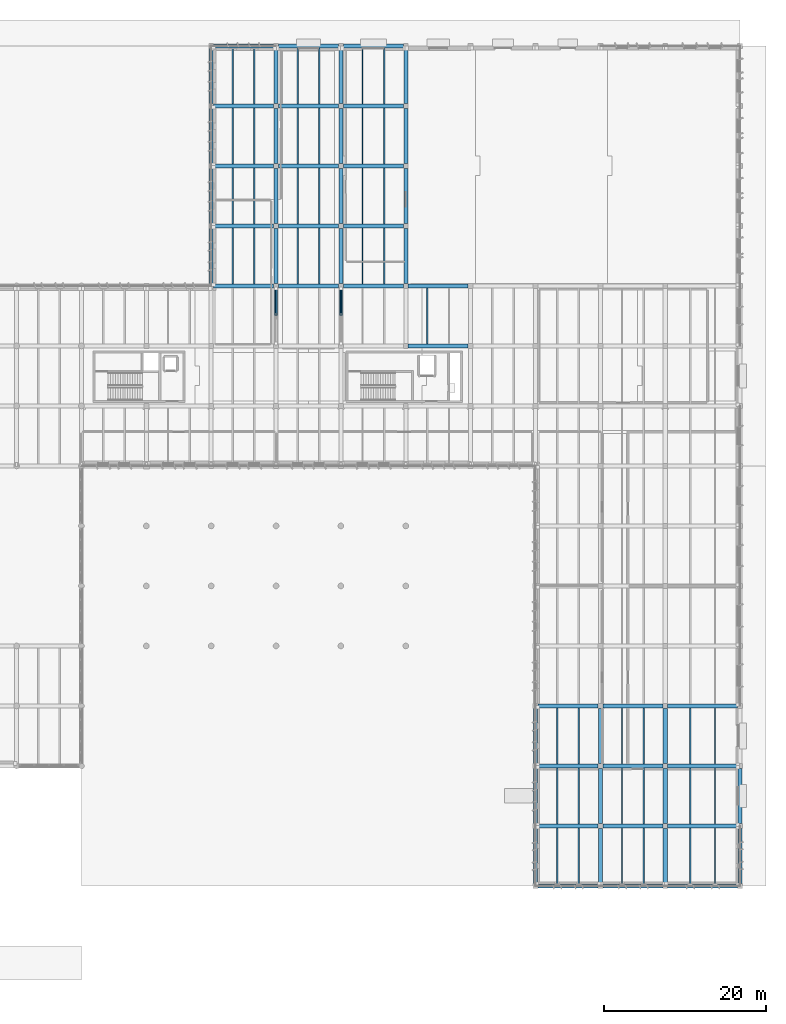
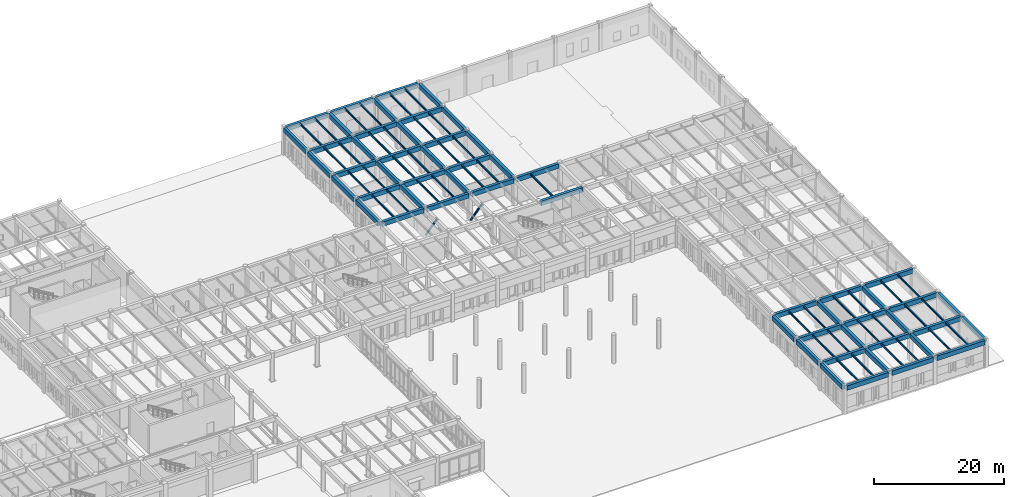
# One storey, part 9 of 56: 99 beams, 2 members.
"""IFC4 building model written with IfcOpenShell, lengths in metres."""

from ifc_helpers import new_model, si_unit, direction, frame, origin, origin_2d, place, context, subcontext, project, spatial, rectangle, hollow_circle, i_section, extrude, material, material_profile, profile_set, type_object, element, save


model = new_model("IFC4")

# Units and contexts
model_context = context("Model", 3, precision=1e-05, world=origin(), true_north=direction((0.0, 1.0)))
body_context = subcontext(model_context, "Body", "Model", "MODEL_VIEW")
ifc_project = project(units=[si_unit("LENGTHUNIT", "METRE"), si_unit("AREAUNIT", "SQUARE_METRE"), si_unit("VOLUMEUNIT", "CUBIC_METRE"), si_unit("PLANEANGLEUNIT", "RADIAN"), si_unit("MASSUNIT", "GRAM", prefix="KILO")], contexts=[model_context])

# Site, building, storey
site_placement = place(None, origin())
site = spatial("IfcSite", under=ifc_project, at=site_placement, CompositionType="ELEMENT")
building_placement = place(site_placement, origin())
building = spatial("IfcBuilding", under=site, at=building_placement, Name="Valkorina Park Police Headquarters", CompositionType="ELEMENT")
storey_placement = place(building_placement, origin())
storey = spatial("IfcBuildingStorey", under=building, at=storey_placement, Name="L01", CompositionType="ELEMENT", Elevation=0.0)

# Beams
ifc_material_1 = material(Name="Concrete C40/50", Category="concrete")
ifc_material_profile_1 = material_profile(ifc_material_1, rectangle(XDim=0.5, YDim=0.85009765625, at=origin_2d()), Name="RC BEAM 500x850")
ifc_profile_set_1 = profile_set([ifc_material_profile_1], Name="Concrete C40/50")
beam_type_1 = type_object("IfcBeamType", Name="BM-RC-500x850-EXT", PredefinedType="SPANDREL", material=ifc_profile_set_1)
for number, where, z_axis, x_axis, name in (
    (1, (137.10009765625, 7.39990234375, 4.72998046875), (1.0, 0.0, 0.0), (0.0, 1.0, 0.0), "L01 Framing Beam 0710"),
    (2, (145.10009765625, 7.39990234375, 4.72998046875), (1.0, 0.0, 0.0), (0.0, 1.0, 0.0), "L01 Framing Beam 0711"),
):
    element("IfcBeam", number, at=place(storey_placement, frame(where, z_axis=z_axis, x_axis=x_axis)), inside=storey, type_object=beam_type_1, Name=name, PredefinedType="SPANDREL", context=body_context, shape_type="SweptSolid", body=[
        extrude(rectangle(XDim=0.5, YDim=0.85009765625, at=origin_2d()), origin(), (0.0, 0.0, 1.0), 7.39990234375),
    ])
beam_1_placement = place(storey_placement, frame((153.10009765625, 7.39990234375, 4.72998046875), z_axis=(1.0, 0.0, 0.0), x_axis=(0.0, 1.0, 0.0)))
element("IfcBeam", 3, at=beam_1_placement, inside=storey, type_object=beam_type_1, Name="L01 Framing Beam 0712", PredefinedType="SPANDREL", context=body_context, shape_type="SweptSolid", body=[
    extrude(rectangle(XDim=0.5, YDim=0.85009765625, at=origin_2d()), origin(), (0.0, 0.0, 1.0), 8.599853515625),
])
for number, where, z_axis, x_axis, name in (
    (4, (121.10009765625, 81.39990234375, 4.715087890625), (1.0, 0.0, 0.0), (0.0, 1.0, 0.0), "L01 Framing Beam 0825"),
    (5, (97.10009765625, 111.0, 4.715087890625), (1.0, 0.0, 0.0), (0.0, 1.0, 0.0), "L01 Framing Beam 0864"),
    (6, (105.10009765625, 111.0, 4.715087890625), (1.0, 0.0, 0.0), (0.0, 1.0, 0.0), "L01 Framing Beam 0865"),
    (7, (113.10009765625, 111.0, 4.715087890625), (1.0, 0.0, 0.0), (0.0, 1.0, 0.0), "L01 Framing Beam 0866"),
):
    element("IfcBeam", number, at=place(storey_placement, frame(where, z_axis=z_axis, x_axis=x_axis)), inside=storey, type_object=beam_type_1, Name=name, PredefinedType="SPANDREL", context=body_context, shape_type="SweptSolid", body=[
        extrude(rectangle(XDim=0.5, YDim=0.85009765625, at=origin_2d()), origin(), (0.0, 0.0, 1.0), 7.39990234375),
    ])
beam_2_placement = place(storey_placement, frame((96.800048828125, 81.699951171875, 4.715087890625), z_axis=(0.0, 1.0, 0.0), x_axis=(-1.0, 0.0, 0.0)))
element("IfcBeam", 8, at=beam_2_placement, inside=storey, type_object=beam_type_1, Name="L01 Framing Beam 1101", PredefinedType="SPANDREL", context=body_context, shape_type="SweptSolid", body=[
    extrude(rectangle(XDim=0.5, YDim=0.85009765625, at=origin_2d()), origin(), (0.0, 0.0, 1.0), 6.800048828125),
])
beam_3_placement = place(storey_placement, frame((96.800048828125, 89.10009765625, 4.715087890625), z_axis=(0.0, 1.0, 0.0), x_axis=(-1.0, 0.0, 0.0)))
element("IfcBeam", 9, at=beam_3_placement, inside=storey, type_object=beam_type_1, Name="L01 Framing Beam 1104", PredefinedType="SPANDREL", context=body_context, shape_type="SweptSolid", body=[
    extrude(rectangle(XDim=0.5, YDim=0.85009765625, at=origin_2d()), origin(), (0.0, 0.0, 1.0), 6.7998046875),
])
for number, where, z_axis, x_axis, name in (
    (10, (96.800048828125, 96.5, 4.715087890625), (0.0, 1.0, 0.0), (-1.0, 0.0, 0.0), "L01 Framing Beam 1107"),
    (11, (96.800048828125, 103.89990234375, 4.715087890625), (0.0, 1.0, 0.0), (-1.0, 0.0, 0.0), "L01 Framing Beam 1110"),
    (12, (120.800048828125, 81.699951171875, 4.715087890625), (0.0, 1.0, 0.0), (-1.0, 0.0, 0.0), "L01 Framing Beam 1159"),
):
    element("IfcBeam", number, at=place(storey_placement, frame(where, z_axis=z_axis, x_axis=x_axis)), inside=storey, type_object=beam_type_1, Name=name, PredefinedType="SPANDREL", context=body_context, shape_type="SweptSolid", body=[
        extrude(rectangle(XDim=0.5, YDim=0.85009765625, at=origin_2d()), origin(), (0.0, 0.0, 1.0), 6.800048828125),
    ])
beam_4_placement = place(storey_placement, frame((120.800048828125, 89.10009765625, 4.715087890625), z_axis=(0.0, 1.0, 0.0), x_axis=(-1.0, 0.0, 0.0)))
element("IfcBeam", 13, at=beam_4_placement, inside=storey, type_object=beam_type_1, Name="L01 Framing Beam 1160", PredefinedType="SPANDREL", context=body_context, shape_type="SweptSolid", body=[
    extrude(rectangle(XDim=0.5, YDim=0.85009765625, at=origin_2d()), origin(), (0.0, 0.0, 1.0), 6.7998046875),
])
for number, where, z_axis, x_axis, name in (
    (14, (120.800048828125, 96.5, 4.715087890625), (0.0, 1.0, 0.0), (-1.0, 0.0, 0.0), "L01 Framing Beam 1161"),
    (15, (120.800048828125, 103.89990234375, 4.715087890625), (0.0, 1.0, 0.0), (-1.0, 0.0, 0.0), "L01 Framing Beam 1162"),
    (16, (136.800048828125, 7.699951171875, 4.72998046875), (0.0, 1.0, 0.0), (-1.0, 0.0, 0.0), "L01 Framing Beam 1172"),
):
    element("IfcBeam", number, at=place(storey_placement, frame(where, z_axis=z_axis, x_axis=x_axis)), inside=storey, type_object=beam_type_1, Name=name, PredefinedType="SPANDREL", context=body_context, shape_type="SweptSolid", body=[
        extrude(rectangle(XDim=0.5, YDim=0.85009765625, at=origin_2d()), origin(), (0.0, 0.0, 1.0), 6.800048828125),
    ])
beam_5_placement = place(storey_placement, frame((136.800048828125, 15.10009765625, 4.72998046875), z_axis=(0.0, 1.0, 0.0), x_axis=(-1.0, 0.0, 0.0)))
element("IfcBeam", 17, at=beam_5_placement, inside=storey, type_object=beam_type_1, Name="L01 Framing Beam 1175", PredefinedType="SPANDREL", context=body_context, shape_type="SweptSolid", body=[
    extrude(rectangle(XDim=0.5, YDim=0.85009765625, at=origin_2d()), origin(), (0.0, 0.0, 1.0), 6.7998046875),
])
for number, where, z_axis, x_axis, name in (
    (18, (136.800048828125, 22.5, 4.72998046875), (0.0, 1.0, 0.0), (-1.0, 0.0, 0.0), "L01 Framing Beam 1178"),
    (19, (162.0, 7.699951171875, 4.72998046875), (0.0, 1.0, 0.0), (-1.0, 0.0, 0.0), "L01 Framing Beam 1233"),
):
    element("IfcBeam", number, at=place(storey_placement, frame(where, z_axis=z_axis, x_axis=x_axis)), inside=storey, type_object=beam_type_1, Name=name, PredefinedType="SPANDREL", context=body_context, shape_type="SweptSolid", body=[
        extrude(rectangle(XDim=0.5, YDim=0.85009765625, at=origin_2d()), origin(), (0.0, 0.0, 1.0), 6.800048828125),
    ])
beam_6_placement = place(storey_placement, frame((162.0, 15.10009765625, 4.72998046875), z_axis=(0.0, 1.0, 0.0), x_axis=(-1.0, 0.0, 0.0)))
element("IfcBeam", 20, at=beam_6_placement, inside=storey, type_object=beam_type_1, Name="L01 Framing Beam 1237", PredefinedType="SPANDREL", context=body_context, shape_type="SweptSolid", body=[
    extrude(rectangle(XDim=0.5, YDim=0.85009765625, at=origin_2d()), origin(), (0.0, 0.0, 1.0), 6.7998046875),
])
ifc_material_profile_2 = material_profile(ifc_material_1, rectangle(XDim=0.5, YDim=0.85009765625, at=origin_2d()), Name="RC BEAM 500x850")
ifc_profile_set_2 = profile_set([ifc_material_profile_2], Name="Concrete C40/50")
beam_type_2 = type_object("IfcBeamType", Name="BM-RC-500x850-INT", PredefinedType="BEAM", material=ifc_profile_set_2)
for number, where, z_axis, x_axis, name in (
    (21, (137.10009765625, 14.800048828125, 4.72998046875), (1.0, 0.0, 0.0), (0.0, 1.0, 0.0), "L01 Framing Beam 0716"),
    (22, (145.10009765625, 14.800048828125, 4.72998046875), (1.0, 0.0, 0.0), (0.0, 1.0, 0.0), "L01 Framing Beam 0717"),
):
    element("IfcBeam", number, at=place(storey_placement, frame(where, z_axis=z_axis, x_axis=x_axis)), inside=storey, type_object=beam_type_2, Name=name, PredefinedType="BEAM", context=body_context, shape_type="SweptSolid", body=[
        extrude(rectangle(XDim=0.5, YDim=0.85009765625, at=origin_2d()), origin(), (0.0, 0.0, 1.0), 7.39990234375),
    ])
beam_7_placement = place(storey_placement, frame((153.10009765625, 14.800048828125, 4.72998046875), z_axis=(1.0, 0.0, 0.0), x_axis=(0.0, 1.0, 0.0)))
element("IfcBeam", 23, at=beam_7_placement, inside=storey, type_object=beam_type_2, Name="L01 Framing Beam 0718", PredefinedType="BEAM", context=body_context, shape_type="SweptSolid", body=[
    extrude(rectangle(XDim=0.5, YDim=0.85009765625, at=origin_2d()), origin(), (0.0, 0.0, 1.0), 8.599853515625),
])
for number, where, z_axis, x_axis, name in (
    (24, (137.10009765625, 22.199951171875, 4.72998046875), (1.0, 0.0, 0.0), (0.0, 1.0, 0.0), "L01 Framing Beam 0725"),
    (25, (145.10009765625, 22.199951171875, 4.72998046875), (1.0, 0.0, 0.0), (0.0, 1.0, 0.0), "L01 Framing Beam 0726"),
):
    element("IfcBeam", number, at=place(storey_placement, frame(where, z_axis=z_axis, x_axis=x_axis)), inside=storey, type_object=beam_type_2, Name=name, PredefinedType="BEAM", context=body_context, shape_type="SweptSolid", body=[
        extrude(rectangle(XDim=0.5, YDim=0.85009765625, at=origin_2d()), origin(), (0.0, 0.0, 1.0), 7.39990234375),
    ])
beam_8_placement = place(storey_placement, frame((153.10009765625, 22.199951171875, 4.72998046875), z_axis=(1.0, 0.0, 0.0), x_axis=(0.0, 1.0, 0.0)))
element("IfcBeam", 26, at=beam_8_placement, inside=storey, type_object=beam_type_2, Name="L01 Framing Beam 0727", PredefinedType="BEAM", context=body_context, shape_type="SweptSolid", body=[
    extrude(rectangle(XDim=0.5, YDim=0.85009765625, at=origin_2d()), origin(), (0.0, 0.0, 1.0), 8.599853515625),
])
for number, where, z_axis, x_axis, name in (
    (27, (137.10009765625, 29.60009765625, 4.72998046875), (1.0, 0.0, 0.0), (0.0, 1.0, 0.0), "L01 Framing Beam 0733"),
    (28, (145.10009765625, 29.60009765625, 4.72998046875), (1.0, 0.0, 0.0), (0.0, 1.0, 0.0), "L01 Framing Beam 0734"),
):
    element("IfcBeam", number, at=place(storey_placement, frame(where, z_axis=z_axis, x_axis=x_axis)), inside=storey, type_object=beam_type_2, Name=name, PredefinedType="BEAM", context=body_context, shape_type="SweptSolid", body=[
        extrude(rectangle(XDim=0.5, YDim=0.85009765625, at=origin_2d()), origin(), (0.0, 0.0, 1.0), 7.39990234375),
    ])
beam_9_placement = place(storey_placement, frame((153.10009765625, 29.60009765625, 4.72998046875), z_axis=(1.0, 0.0, 0.0), x_axis=(0.0, 1.0, 0.0)))
element("IfcBeam", 29, at=beam_9_placement, inside=storey, type_object=beam_type_2, Name="L01 Framing Beam 0735", PredefinedType="BEAM", context=body_context, shape_type="SweptSolid", body=[
    extrude(rectangle(XDim=0.5, YDim=0.85009765625, at=origin_2d()), origin(), (0.0, 0.0, 1.0), 8.599853515625),
])
for number, where, z_axis, x_axis, name in (
    (30, (121.10009765625, 74.0, 4.715087890625), (1.0, 0.0, 0.0), (0.0, 1.0, 0.0), "L01 Framing Beam 0809"),
    (31, (97.10009765625, 81.39990234375, 4.715087890625), (1.0, 0.0, 0.0), (0.0, 1.0, 0.0), "L01 Framing Beam 0822"),
    (32, (105.10009765625, 81.39990234375, 4.715087890625), (1.0, 0.0, 0.0), (0.0, 1.0, 0.0), "L01 Framing Beam 0823"),
    (33, (113.10009765625, 81.39990234375, 4.715087890625), (1.0, 0.0, 0.0), (0.0, 1.0, 0.0), "L01 Framing Beam 0824"),
    (34, (97.10009765625, 88.800048828125, 4.715087890625), (1.0, 0.0, 0.0), (0.0, 1.0, 0.0), "L01 Framing Beam 0834"),
    (35, (105.10009765625, 88.800048828125, 4.715087890625), (1.0, 0.0, 0.0), (0.0, 1.0, 0.0), "L01 Framing Beam 0835"),
    (36, (113.10009765625, 88.800048828125, 4.715087890625), (1.0, 0.0, 0.0), (0.0, 1.0, 0.0), "L01 Framing Beam 0836"),
    (37, (97.10009765625, 96.199951171875, 4.715087890625), (1.0, 0.0, 0.0), (0.0, 1.0, 0.0), "L01 Framing Beam 0844"),
    (38, (105.10009765625, 96.199951171875, 4.715087890625), (1.0, 0.0, 0.0), (0.0, 1.0, 0.0), "L01 Framing Beam 0845"),
    (39, (113.10009765625, 96.199951171875, 4.715087890625), (1.0, 0.0, 0.0), (0.0, 1.0, 0.0), "L01 Framing Beam 0846"),
    (40, (97.10009765625, 103.60009765625, 4.715087890625), (1.0, 0.0, 0.0), (0.0, 1.0, 0.0), "L01 Framing Beam 0854"),
    (41, (105.10009765625, 103.60009765625, 4.715087890625), (1.0, 0.0, 0.0), (0.0, 1.0, 0.0), "L01 Framing Beam 0855"),
    (42, (113.10009765625, 103.60009765625, 4.715087890625), (1.0, 0.0, 0.0), (0.0, 1.0, 0.0), "L01 Framing Beam 0856"),
):
    element("IfcBeam", number, at=place(storey_placement, frame(where, z_axis=z_axis, x_axis=x_axis)), inside=storey, type_object=beam_type_2, Name=name, PredefinedType="BEAM", context=body_context, shape_type="SweptSolid", body=[
        extrude(rectangle(XDim=0.5, YDim=0.85009765625, at=origin_2d()), origin(), (0.0, 0.0, 1.0), 7.39990234375),
    ])
beam_10_placement = place(storey_placement, frame((104.800048828125, 81.699951171875, 4.715087890625), z_axis=(0.0, 1.0, 0.0), x_axis=(-1.0, 0.0, 0.0)))
element("IfcBeam", 43, at=beam_10_placement, inside=storey, type_object=beam_type_2, Name="L01 Framing Beam 1122", PredefinedType="BEAM", context=body_context, shape_type="SweptSolid", body=[
    extrude(rectangle(XDim=0.5, YDim=0.85009765625, at=origin_2d()), origin(), (0.0, 0.0, 1.0), 6.800048828125),
])
beam_11_placement = place(storey_placement, frame((104.800048828125, 89.10009765625, 4.715087890625), z_axis=(0.0, 1.0, 0.0), x_axis=(-1.0, 0.0, 0.0)))
element("IfcBeam", 44, at=beam_11_placement, inside=storey, type_object=beam_type_2, Name="L01 Framing Beam 1125", PredefinedType="BEAM", context=body_context, shape_type="SweptSolid", body=[
    extrude(rectangle(XDim=0.5, YDim=0.85009765625, at=origin_2d()), origin(), (0.0, 0.0, 1.0), 6.7998046875),
])
for number, where, z_axis, x_axis, name in (
    (45, (104.800048828125, 96.5, 4.715087890625), (0.0, 1.0, 0.0), (-1.0, 0.0, 0.0), "L01 Framing Beam 1128"),
    (46, (104.800048828125, 103.89990234375, 4.715087890625), (0.0, 1.0, 0.0), (-1.0, 0.0, 0.0), "L01 Framing Beam 1131"),
    (47, (112.800048828125, 81.699951171875, 4.715087890625), (0.0, 1.0, 0.0), (-1.0, 0.0, 0.0), "L01 Framing Beam 1141"),
):
    element("IfcBeam", number, at=place(storey_placement, frame(where, z_axis=z_axis, x_axis=x_axis)), inside=storey, type_object=beam_type_2, Name=name, PredefinedType="BEAM", context=body_context, shape_type="SweptSolid", body=[
        extrude(rectangle(XDim=0.5, YDim=0.85009765625, at=origin_2d()), origin(), (0.0, 0.0, 1.0), 6.800048828125),
    ])
beam_12_placement = place(storey_placement, frame((112.800048828125, 89.10009765625, 4.715087890625), z_axis=(0.0, 1.0, 0.0), x_axis=(-1.0, 0.0, 0.0)))
element("IfcBeam", 48, at=beam_12_placement, inside=storey, type_object=beam_type_2, Name="L01 Framing Beam 1144", PredefinedType="BEAM", context=body_context, shape_type="SweptSolid", body=[
    extrude(rectangle(XDim=0.5, YDim=0.85009765625, at=origin_2d()), origin(), (0.0, 0.0, 1.0), 6.7998046875),
])
for number, where, z_axis, x_axis, name in (
    (49, (112.800048828125, 96.5, 4.715087890625), (0.0, 1.0, 0.0), (-1.0, 0.0, 0.0), "L01 Framing Beam 1147"),
    (50, (112.800048828125, 103.89990234375, 4.715087890625), (0.0, 1.0, 0.0), (-1.0, 0.0, 0.0), "L01 Framing Beam 1150"),
    (51, (144.800048828125, 7.699951171875, 4.72998046875), (0.0, 1.0, 0.0), (-1.0, 0.0, 0.0), "L01 Framing Beam 1202"),
):
    element("IfcBeam", number, at=place(storey_placement, frame(where, z_axis=z_axis, x_axis=x_axis)), inside=storey, type_object=beam_type_2, Name=name, PredefinedType="BEAM", context=body_context, shape_type="SweptSolid", body=[
        extrude(rectangle(XDim=0.5, YDim=0.85009765625, at=origin_2d()), origin(), (0.0, 0.0, 1.0), 6.800048828125),
    ])
beam_13_placement = place(storey_placement, frame((144.800048828125, 15.10009765625, 4.72998046875), z_axis=(0.0, 1.0, 0.0), x_axis=(-1.0, 0.0, 0.0)))
element("IfcBeam", 52, at=beam_13_placement, inside=storey, type_object=beam_type_2, Name="L01 Framing Beam 1205", PredefinedType="BEAM", context=body_context, shape_type="SweptSolid", body=[
    extrude(rectangle(XDim=0.5, YDim=0.85009765625, at=origin_2d()), origin(), (0.0, 0.0, 1.0), 6.7998046875),
])
for number, where, z_axis, x_axis, name in (
    (53, (144.800048828125, 22.5, 4.72998046875), (0.0, 1.0, 0.0), (-1.0, 0.0, 0.0), "L01 Framing Beam 1208"),
    (54, (152.800048828125, 7.699951171875, 4.72998046875), (0.0, 1.0, 0.0), (-1.0, 0.0, 0.0), "L01 Framing Beam 1232"),
):
    element("IfcBeam", number, at=place(storey_placement, frame(where, z_axis=z_axis, x_axis=x_axis)), inside=storey, type_object=beam_type_2, Name=name, PredefinedType="BEAM", context=body_context, shape_type="SweptSolid", body=[
        extrude(rectangle(XDim=0.5, YDim=0.85009765625, at=origin_2d()), origin(), (0.0, 0.0, 1.0), 6.800048828125),
    ])
beam_14_placement = place(storey_placement, frame((152.800048828125, 15.10009765625, 4.72998046875), z_axis=(0.0, 1.0, 0.0), x_axis=(-1.0, 0.0, 0.0)))
element("IfcBeam", 55, at=beam_14_placement, inside=storey, type_object=beam_type_2, Name="L01 Framing Beam 1236", PredefinedType="BEAM", context=body_context, shape_type="SweptSolid", body=[
    extrude(rectangle(XDim=0.5, YDim=0.85009765625, at=origin_2d()), origin(), (0.0, 0.0, 1.0), 6.7998046875),
])
beam_15_placement = place(storey_placement, frame((152.800048828125, 22.5, 4.72998046875), z_axis=(0.0, 1.0, 0.0), x_axis=(-1.0, 0.0, 0.0)))
element("IfcBeam", 56, at=beam_15_placement, inside=storey, type_object=beam_type_2, Name="L01 Framing Beam 1240", PredefinedType="BEAM", context=body_context, shape_type="SweptSolid", body=[
    extrude(rectangle(XDim=0.5, YDim=0.85009765625, at=origin_2d()), origin(), (0.0, 0.0, 1.0), 6.800048828125),
])
ifc_material_2 = material(Name="Steel S355", Category="steel")
ifc_material_profile_3 = material_profile(ifc_material_2, i_section(OverallWidth=0.169921875, OverallDepth=0.360107421875, WebThickness=0.008056640625, FlangeThickness=0.0126953125, FilletRadius=0.01806640625, at=origin_2d()), Name="IPE 360")
ifc_profile_set_3 = profile_set([ifc_material_profile_3], Name="Steel S355")
beam_type_3 = type_object("IfcBeamType", Name="BM-S355-IPE360-JST", PredefinedType="JOIST", material=ifc_profile_set_3)
for number, where, z_axis, x_axis, name in (
    (57, (99.466796875, 81.64990234375, 4.9599609375), (0.0, 1.0, 0.0), (-1.0, 0.0, 0.0), "L01 Framing Beam 1102"),
    (58, (102.13330078125, 81.64990234375, 4.9599609375), (0.0, 1.0, 0.0), (-1.0, 0.0, 0.0), "L01 Framing Beam 1103"),
):
    element("IfcBeam", number, at=place(storey_placement, frame(where, z_axis=z_axis, x_axis=x_axis)), inside=storey, type_object=beam_type_3, Name=name, PredefinedType="JOIST", context=body_context, shape_type="SweptSolid", body=[
        extrude(i_section(OverallWidth=0.169921875, OverallDepth=0.360107421875, WebThickness=0.008056640625, FlangeThickness=0.0126953125, FilletRadius=0.01806640625, at=origin_2d()), origin(), (0.0, 0.0, 1.0), 6.900146484375),
    ])
for number, where, z_axis, x_axis, name in (
    (59, (99.466796875, 89.050048828125, 4.9599609375), (0.0, 1.0, 0.0), (-1.0, 0.0, 0.0), "L01 Framing Beam 1105"),
    (60, (102.13330078125, 89.050048828125, 4.9599609375), (0.0, 1.0, 0.0), (-1.0, 0.0, 0.0), "L01 Framing Beam 1106"),
):
    element("IfcBeam", number, at=place(storey_placement, frame(where, z_axis=z_axis, x_axis=x_axis)), inside=storey, type_object=beam_type_3, Name=name, PredefinedType="JOIST", context=body_context, shape_type="SweptSolid", body=[
        extrude(i_section(OverallWidth=0.169921875, OverallDepth=0.360107421875, WebThickness=0.008056640625, FlangeThickness=0.0126953125, FilletRadius=0.01806640625, at=origin_2d()), origin(), (0.0, 0.0, 1.0), 6.89990234375),
    ])
for number, where, z_axis, x_axis, name in (
    (61, (99.466796875, 96.449951171875, 4.9599609375), (0.0, 1.0, 0.0), (-1.0, 0.0, 0.0), "L01 Framing Beam 1108"),
    (62, (102.13330078125, 96.449951171875, 4.9599609375), (0.0, 1.0, 0.0), (-1.0, 0.0, 0.0), "L01 Framing Beam 1109"),
):
    element("IfcBeam", number, at=place(storey_placement, frame(where, z_axis=z_axis, x_axis=x_axis)), inside=storey, type_object=beam_type_3, Name=name, PredefinedType="JOIST", context=body_context, shape_type="SweptSolid", body=[
        extrude(i_section(OverallWidth=0.169921875, OverallDepth=0.360107421875, WebThickness=0.008056640625, FlangeThickness=0.0126953125, FilletRadius=0.01806640625, at=origin_2d()), origin(), (0.0, 0.0, 1.0), 6.900146484375),
    ])
for number, where, z_axis, x_axis, name in (
    (63, (99.466796875, 103.85009765625, 4.9599609375), (0.0, 1.0, 0.0), (-1.0, 0.0, 0.0), "L01 Framing Beam 1111"),
    (64, (102.13330078125, 103.85009765625, 4.9599609375), (0.0, 1.0, 0.0), (-1.0, 0.0, 0.0), "L01 Framing Beam 1112"),
):
    element("IfcBeam", number, at=place(storey_placement, frame(where, z_axis=z_axis, x_axis=x_axis)), inside=storey, type_object=beam_type_3, Name=name, PredefinedType="JOIST", context=body_context, shape_type="SweptSolid", body=[
        extrude(i_section(OverallWidth=0.169921875, OverallDepth=0.360107421875, WebThickness=0.008056640625, FlangeThickness=0.0126953125, FilletRadius=0.01806640625, at=origin_2d()), origin(), (0.0, 0.0, 1.0), 6.89990234375),
    ])
for number, where, z_axis, x_axis, name in (
    (65, (107.466796875, 81.64990234375, 4.9599609375), (0.0, 1.0, 0.0), (-1.0, 0.0, 0.0), "L01 Framing Beam 1123"),
    (66, (110.13330078125, 81.64990234375, 4.9599609375), (0.0, 1.0, 0.0), (-1.0, 0.0, 0.0), "L01 Framing Beam 1124"),
):
    element("IfcBeam", number, at=place(storey_placement, frame(where, z_axis=z_axis, x_axis=x_axis)), inside=storey, type_object=beam_type_3, Name=name, PredefinedType="JOIST", context=body_context, shape_type="SweptSolid", body=[
        extrude(i_section(OverallWidth=0.169921875, OverallDepth=0.360107421875, WebThickness=0.008056640625, FlangeThickness=0.0126953125, FilletRadius=0.01806640625, at=origin_2d()), origin(), (0.0, 0.0, 1.0), 6.900146484375),
    ])
for number, where, z_axis, x_axis, name in (
    (67, (107.466796875, 89.050048828125, 4.9599609375), (0.0, 1.0, 0.0), (-1.0, 0.0, 0.0), "L01 Framing Beam 1126"),
    (68, (110.13330078125, 89.050048828125, 4.9599609375), (0.0, 1.0, 0.0), (-1.0, 0.0, 0.0), "L01 Framing Beam 1127"),
):
    element("IfcBeam", number, at=place(storey_placement, frame(where, z_axis=z_axis, x_axis=x_axis)), inside=storey, type_object=beam_type_3, Name=name, PredefinedType="JOIST", context=body_context, shape_type="SweptSolid", body=[
        extrude(i_section(OverallWidth=0.169921875, OverallDepth=0.360107421875, WebThickness=0.008056640625, FlangeThickness=0.0126953125, FilletRadius=0.01806640625, at=origin_2d()), origin(), (0.0, 0.0, 1.0), 6.89990234375),
    ])
for number, where, z_axis, x_axis, name in (
    (69, (107.466796875, 96.449951171875, 4.9599609375), (0.0, 1.0, 0.0), (-1.0, 0.0, 0.0), "L01 Framing Beam 1129"),
    (70, (110.13330078125, 96.449951171875, 4.9599609375), (0.0, 1.0, 0.0), (-1.0, 0.0, 0.0), "L01 Framing Beam 1130"),
):
    element("IfcBeam", number, at=place(storey_placement, frame(where, z_axis=z_axis, x_axis=x_axis)), inside=storey, type_object=beam_type_3, Name=name, PredefinedType="JOIST", context=body_context, shape_type="SweptSolid", body=[
        extrude(i_section(OverallWidth=0.169921875, OverallDepth=0.360107421875, WebThickness=0.008056640625, FlangeThickness=0.0126953125, FilletRadius=0.01806640625, at=origin_2d()), origin(), (0.0, 0.0, 1.0), 6.900146484375),
    ])
for number, where, z_axis, x_axis, name in (
    (71, (107.466796875, 103.85009765625, 4.9599609375), (0.0, 1.0, 0.0), (-1.0, 0.0, 0.0), "L01 Framing Beam 1132"),
    (72, (110.13330078125, 103.85009765625, 4.9599609375), (0.0, 1.0, 0.0), (-1.0, 0.0, 0.0), "L01 Framing Beam 1133"),
):
    element("IfcBeam", number, at=place(storey_placement, frame(where, z_axis=z_axis, x_axis=x_axis)), inside=storey, type_object=beam_type_3, Name=name, PredefinedType="JOIST", context=body_context, shape_type="SweptSolid", body=[
        extrude(i_section(OverallWidth=0.169921875, OverallDepth=0.360107421875, WebThickness=0.008056640625, FlangeThickness=0.0126953125, FilletRadius=0.01806640625, at=origin_2d()), origin(), (0.0, 0.0, 1.0), 6.89990234375),
    ])
for number, where, z_axis, x_axis, name in (
    (73, (115.466796875, 81.64990234375, 4.9599609375), (0.0, 1.0, 0.0), (-1.0, 0.0, 0.0), "L01 Framing Beam 1142"),
    (74, (118.13330078125, 81.64990234375, 4.9599609375), (0.0, 1.0, 0.0), (-1.0, 0.0, 0.0), "L01 Framing Beam 1143"),
):
    element("IfcBeam", number, at=place(storey_placement, frame(where, z_axis=z_axis, x_axis=x_axis)), inside=storey, type_object=beam_type_3, Name=name, PredefinedType="JOIST", context=body_context, shape_type="SweptSolid", body=[
        extrude(i_section(OverallWidth=0.169921875, OverallDepth=0.360107421875, WebThickness=0.008056640625, FlangeThickness=0.0126953125, FilletRadius=0.01806640625, at=origin_2d()), origin(), (0.0, 0.0, 1.0), 6.900146484375),
    ])
for number, where, z_axis, x_axis, name in (
    (75, (115.466796875, 89.050048828125, 4.9599609375), (0.0, 1.0, 0.0), (-1.0, 0.0, 0.0), "L01 Framing Beam 1145"),
    (76, (118.13330078125, 89.050048828125, 4.9599609375), (0.0, 1.0, 0.0), (-1.0, 0.0, 0.0), "L01 Framing Beam 1146"),
):
    element("IfcBeam", number, at=place(storey_placement, frame(where, z_axis=z_axis, x_axis=x_axis)), inside=storey, type_object=beam_type_3, Name=name, PredefinedType="JOIST", context=body_context, shape_type="SweptSolid", body=[
        extrude(i_section(OverallWidth=0.169921875, OverallDepth=0.360107421875, WebThickness=0.008056640625, FlangeThickness=0.0126953125, FilletRadius=0.01806640625, at=origin_2d()), origin(), (0.0, 0.0, 1.0), 6.89990234375),
    ])
for number, where, z_axis, x_axis, name in (
    (77, (115.466796875, 96.449951171875, 4.9599609375), (0.0, 1.0, 0.0), (-1.0, 0.0, 0.0), "L01 Framing Beam 1148"),
    (78, (118.13330078125, 96.449951171875, 4.9599609375), (0.0, 1.0, 0.0), (-1.0, 0.0, 0.0), "L01 Framing Beam 1149"),
):
    element("IfcBeam", number, at=place(storey_placement, frame(where, z_axis=z_axis, x_axis=x_axis)), inside=storey, type_object=beam_type_3, Name=name, PredefinedType="JOIST", context=body_context, shape_type="SweptSolid", body=[
        extrude(i_section(OverallWidth=0.169921875, OverallDepth=0.360107421875, WebThickness=0.008056640625, FlangeThickness=0.0126953125, FilletRadius=0.01806640625, at=origin_2d()), origin(), (0.0, 0.0, 1.0), 6.900146484375),
    ])
for number, where, z_axis, x_axis, name in (
    (79, (115.466796875, 103.85009765625, 4.9599609375), (0.0, 1.0, 0.0), (-1.0, 0.0, 0.0), "L01 Framing Beam 1151"),
    (80, (118.13330078125, 103.85009765625, 4.9599609375), (0.0, 1.0, 0.0), (-1.0, 0.0, 0.0), "L01 Framing Beam 1152"),
    (81, (123.466796875, 74.25, 4.9599609375), (0.0, 1.0, 0.0), (-1.0, 0.0, 0.0), "L01 Framing Beam 1157"),
):
    element("IfcBeam", number, at=place(storey_placement, frame(where, z_axis=z_axis, x_axis=x_axis)), inside=storey, type_object=beam_type_3, Name=name, PredefinedType="JOIST", context=body_context, shape_type="SweptSolid", body=[
        extrude(i_section(OverallWidth=0.169921875, OverallDepth=0.360107421875, WebThickness=0.008056640625, FlangeThickness=0.0126953125, FilletRadius=0.01806640625, at=origin_2d()), origin(), (0.0, 0.0, 1.0), 6.89990234375),
    ])
for number, where, z_axis, x_axis, name in (
    (82, (139.466796875, 7.64990234375, 4.97509765625), (0.0, 1.0, 0.0), (-1.0, 0.0, 0.0), "L01 Framing Beam 1173"),
    (83, (142.13330078125, 7.64990234375, 4.97509765625), (0.0, 1.0, 0.0), (-1.0, 0.0, 0.0), "L01 Framing Beam 1174"),
):
    element("IfcBeam", number, at=place(storey_placement, frame(where, z_axis=z_axis, x_axis=x_axis)), inside=storey, type_object=beam_type_3, Name=name, PredefinedType="JOIST", context=body_context, shape_type="SweptSolid", body=[
        extrude(i_section(OverallWidth=0.169921875, OverallDepth=0.360107421875, WebThickness=0.008056640625, FlangeThickness=0.0126953125, FilletRadius=0.01806640625, at=origin_2d()), origin(), (0.0, 0.0, 1.0), 6.900146484375),
    ])
for number, where, z_axis, x_axis, name in (
    (84, (139.466796875, 15.050048828125, 4.97509765625), (0.0, 1.0, 0.0), (-1.0, 0.0, 0.0), "L01 Framing Beam 1176"),
    (85, (142.13330078125, 15.050048828125, 4.97509765625), (0.0, 1.0, 0.0), (-1.0, 0.0, 0.0), "L01 Framing Beam 1177"),
):
    element("IfcBeam", number, at=place(storey_placement, frame(where, z_axis=z_axis, x_axis=x_axis)), inside=storey, type_object=beam_type_3, Name=name, PredefinedType="JOIST", context=body_context, shape_type="SweptSolid", body=[
        extrude(i_section(OverallWidth=0.169921875, OverallDepth=0.360107421875, WebThickness=0.008056640625, FlangeThickness=0.0126953125, FilletRadius=0.01806640625, at=origin_2d()), origin(), (0.0, 0.0, 1.0), 6.89990234375),
    ])
for number, where, z_axis, x_axis, name in (
    (86, (139.466796875, 22.449951171875, 4.97509765625), (0.0, 1.0, 0.0), (-1.0, 0.0, 0.0), "L01 Framing Beam 1179"),
    (87, (142.13330078125, 22.449951171875, 4.97509765625), (0.0, 1.0, 0.0), (-1.0, 0.0, 0.0), "L01 Framing Beam 1180"),
    (88, (147.466796875, 7.64990234375, 4.97509765625), (0.0, 1.0, 0.0), (-1.0, 0.0, 0.0), "L01 Framing Beam 1203"),
    (89, (150.13330078125, 7.64990234375, 4.97509765625), (0.0, 1.0, 0.0), (-1.0, 0.0, 0.0), "L01 Framing Beam 1204"),
):
    element("IfcBeam", number, at=place(storey_placement, frame(where, z_axis=z_axis, x_axis=x_axis)), inside=storey, type_object=beam_type_3, Name=name, PredefinedType="JOIST", context=body_context, shape_type="SweptSolid", body=[
        extrude(i_section(OverallWidth=0.169921875, OverallDepth=0.360107421875, WebThickness=0.008056640625, FlangeThickness=0.0126953125, FilletRadius=0.01806640625, at=origin_2d()), origin(), (0.0, 0.0, 1.0), 6.900146484375),
    ])
for number, where, z_axis, x_axis, name in (
    (90, (147.466796875, 15.050048828125, 4.97509765625), (0.0, 1.0, 0.0), (-1.0, 0.0, 0.0), "L01 Framing Beam 1206"),
    (91, (150.13330078125, 15.050048828125, 4.97509765625), (0.0, 1.0, 0.0), (-1.0, 0.0, 0.0), "L01 Framing Beam 1207"),
):
    element("IfcBeam", number, at=place(storey_placement, frame(where, z_axis=z_axis, x_axis=x_axis)), inside=storey, type_object=beam_type_3, Name=name, PredefinedType="JOIST", context=body_context, shape_type="SweptSolid", body=[
        extrude(i_section(OverallWidth=0.169921875, OverallDepth=0.360107421875, WebThickness=0.008056640625, FlangeThickness=0.0126953125, FilletRadius=0.01806640625, at=origin_2d()), origin(), (0.0, 0.0, 1.0), 6.89990234375),
    ])
for number, where, z_axis, x_axis, name in (
    (92, (147.466796875, 22.449951171875, 4.97509765625), (0.0, 1.0, 0.0), (-1.0, 0.0, 0.0), "L01 Framing Beam 1209"),
    (93, (150.13330078125, 22.449951171875, 4.97509765625), (0.0, 1.0, 0.0), (-1.0, 0.0, 0.0), "L01 Framing Beam 1210"),
    (94, (155.86669921875, 7.64990234375, 4.97509765625), (0.0, 1.0, 0.0), (-1.0, 0.0, 0.0), "L01 Framing Beam 1234"),
    (95, (158.933349609375, 7.64990234375, 4.97509765625), (0.0, 1.0, 0.0), (-1.0, 0.0, 0.0), "L01 Framing Beam 1235"),
):
    element("IfcBeam", number, at=place(storey_placement, frame(where, z_axis=z_axis, x_axis=x_axis)), inside=storey, type_object=beam_type_3, Name=name, PredefinedType="JOIST", context=body_context, shape_type="SweptSolid", body=[
        extrude(i_section(OverallWidth=0.169921875, OverallDepth=0.360107421875, WebThickness=0.008056640625, FlangeThickness=0.0126953125, FilletRadius=0.01806640625, at=origin_2d()), origin(), (0.0, 0.0, 1.0), 6.900146484375),
    ])
for number, where, z_axis, x_axis, name in (
    (96, (155.86669921875, 15.050048828125, 4.97509765625), (0.0, 1.0, 0.0), (-1.0, 0.0, 0.0), "L01 Framing Beam 1238"),
    (97, (158.933349609375, 15.050048828125, 4.97509765625), (0.0, 1.0, 0.0), (-1.0, 0.0, 0.0), "L01 Framing Beam 1239"),
):
    element("IfcBeam", number, at=place(storey_placement, frame(where, z_axis=z_axis, x_axis=x_axis)), inside=storey, type_object=beam_type_3, Name=name, PredefinedType="JOIST", context=body_context, shape_type="SweptSolid", body=[
        extrude(i_section(OverallWidth=0.169921875, OverallDepth=0.360107421875, WebThickness=0.008056640625, FlangeThickness=0.0126953125, FilletRadius=0.01806640625, at=origin_2d()), origin(), (0.0, 0.0, 1.0), 6.89990234375),
    ])
for number, where, z_axis, x_axis, name in (
    (98, (155.86669921875, 22.449951171875, 4.97509765625), (0.0, 1.0, 0.0), (-1.0, 0.0, 0.0), "L01 Framing Beam 1242"),
    (99, (158.933349609375, 22.449951171875, 4.97509765625), (0.0, 1.0, 0.0), (-1.0, 0.0, 0.0), "L01 Framing Beam 1243"),
):
    element("IfcBeam", number, at=place(storey_placement, frame(where, z_axis=z_axis, x_axis=x_axis)), inside=storey, type_object=beam_type_3, Name=name, PredefinedType="JOIST", context=body_context, shape_type="SweptSolid", body=[
        extrude(i_section(OverallWidth=0.169921875, OverallDepth=0.360107421875, WebThickness=0.008056640625, FlangeThickness=0.0126953125, FilletRadius=0.01806640625, at=origin_2d()), origin(), (0.0, 0.0, 1.0), 6.900146484375),
    ])

# Members
ifc_material_profile_4 = material_profile(ifc_material_2, hollow_circle(Radius=0.177734375, WallThickness=0.01611328125, at=origin_2d()), Name="CHS 355.6x16")
ifc_profile_set_4 = profile_set([ifc_material_profile_4], Name="Steel S355")
member_type = type_object("IfcMemberType", Name="MB-S355-CHS355-BRC", PredefinedType="BRACE", material=ifc_profile_set_4)
for number, where, z_axis, x_axis, name in (
    (100, (104.800048828125, 81.10009765625, 0.10009765625), (0.0, -0.559428514871, 0.828878601937), (1.0, 0.0, 0.0), "L01 Concentric Chevron Brace 020"),
    (101, (112.800048828125, 81.10009765625, 0.10009765625), (0.0, -0.559428514871, 0.828878601937), (1.0, 0.0, 0.0), "L01 Concentric Chevron Brace 030"),
):
    element("IfcMember", number, at=place(storey_placement, frame(where, z_axis=z_axis, x_axis=x_axis)), inside=storey, type_object=member_type, Name=name, PredefinedType="BRACE", context=body_context, shape_type="SweptSolid", body=[
        extrude(hollow_circle(Radius=0.177734375, WallThickness=0.01611328125, at=origin_2d()), origin(), (0.0, 0.0, 1.0), 5.86328125),
    ])

save(model, "model.ifc")
